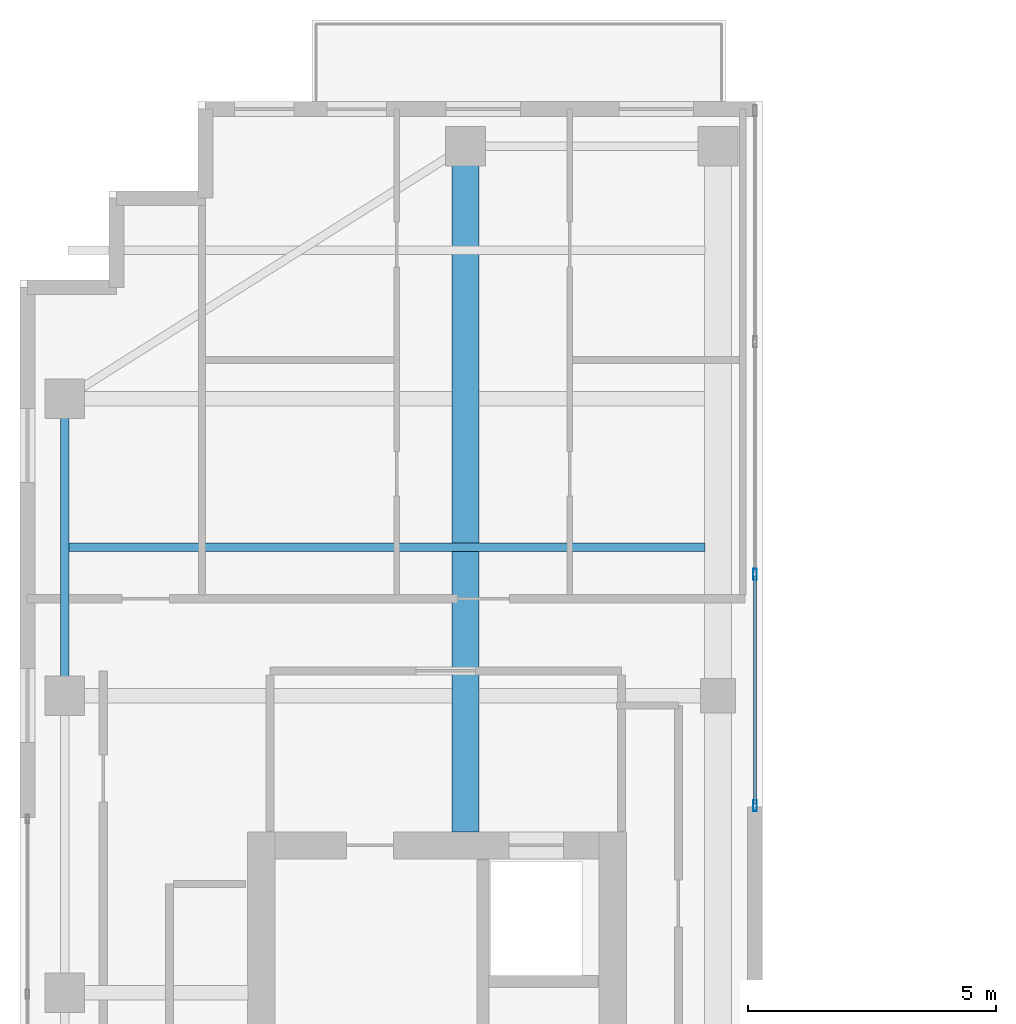
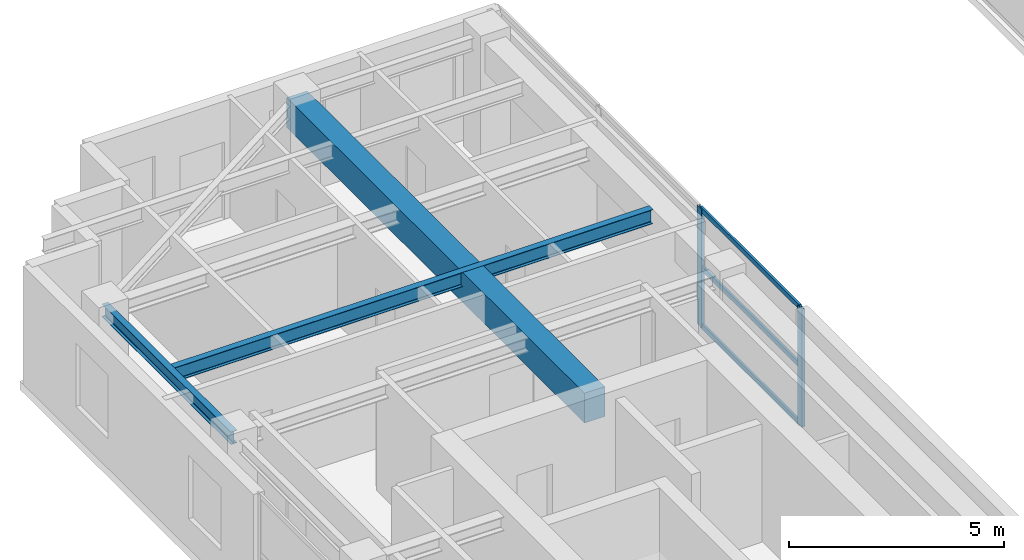
# One storey, part 8 of 22: 5 members, 3 beams, 1 element without a shape of its own.
"""IFC4 building model written with IfcOpenShell, lengths in metres."""

from ifc_helpers import new_model, si_unit, direction, frame, origin, origin_2d, place, context, subcontext, project, spatial, rectangle, hollow_rectangle, i_section, extrude, source, transform, mapped, material, layer, layer_set, material_profile, profile_set, type_object, element, aggregate, save


model = new_model("IFC4")

# Units and contexts
model_context = context("Model", 3, precision=1e-05, world=origin(), true_north=direction((0.0, 1.0)))
body_context = subcontext(model_context, "Body", "Model", "MODEL_VIEW")
ifc_project = project(units=[si_unit("LENGTHUNIT", "METRE"), si_unit("AREAUNIT", "SQUARE_METRE"), si_unit("VOLUMEUNIT", "CUBIC_METRE"), si_unit("PLANEANGLEUNIT", "RADIAN"), si_unit("MASSUNIT", "GRAM", prefix="KILO")], contexts=[model_context])

# Site, building, storey
site_placement = place(None, origin())
site = spatial("IfcSite", under=ifc_project, at=site_placement, CompositionType="ELEMENT")
building_placement = place(site_placement, origin())
building = spatial("IfcBuilding", under=site, at=building_placement, Name="Khoralis Quay Care Tower", CompositionType="ELEMENT")
storey_placement = place(building_placement, frame((0.0, 0.0, 260.10009765625)))
storey = spatial("IfcBuildingStorey", under=building, at=storey_placement, Name="L68", CompositionType="ELEMENT", Elevation=260.10009765625)

# Beams
ifc_material_1 = material(Name="Steel S355", Category="steel")
ifc_material_profile_1 = material_profile(ifc_material_1, i_section(OverallWidth=0.169921875, OverallDepth=0.360107421875, WebThickness=0.008056640625, FlangeThickness=0.0126953125, FilletRadius=0.01806640625, at=origin_2d()), Name="Steel S355")
ifc_profile_set_1 = profile_set([ifc_material_profile_1], Name="Steel S355")
beam_type_1 = type_object("IfcBeamType", Name="BM-IPE360", PredefinedType="SPANDREL", material=ifc_profile_set_1)
shared_shape_1 = source(origin(), body_context, "Body", "SweptSolid", [
    extrude(i_section(OverallWidth=0.169921875, OverallDepth=0.360107421875, WebThickness=0.008056640625, FlangeThickness=0.0126953125, FilletRadius=0.01806640625, at=origin_2d()), origin(), (0.0, 0.0, 1.0), 6.0),
])
beam_1_placement = place(storey_placement, frame((3.89990234375, 30.0, 3.179931640625), z_axis=(0.0, 1.0, 0.0), x_axis=(-1.0, 0.0, 0.0)))
element("IfcBeam", 1, at=beam_1_placement, inside=storey, type_object=beam_type_1, Name="BM-TSP-L68-08", PredefinedType="SPANDREL", context=body_context, shape_type="MappedRepresentation", body=[
    mapped(shared_shape_1, transform((0.0, 0.0, 0.0), scale=1.0)),
])
ifc_material_2 = material(Name="Concrete C50/60", Category="concrete")
ifc_material_profile_2 = material_profile(ifc_material_2, rectangle(XDim=0.550048828125, YDim=0.85009765625, at=origin_2d()), Name="Concrete C50/60")
ifc_profile_set_2 = profile_set([ifc_material_profile_2], Name="Concrete C50/60")
beam_type_2 = type_object("IfcBeamType", Name="BM-RC550X850", PredefinedType="BEAM", material=ifc_profile_set_2)
shared_shape_2 = source(origin(), body_context, "Body", "SweptSolid", [
    extrude(rectangle(XDim=0.550048828125, YDim=0.85009765625, at=origin_2d()), origin(), (0.0, 0.0, 1.0), 13.85205078125),
])
beam_2_placement = place(storey_placement, frame((12.0, 27.248046875, 2.934814453125), z_axis=(0.0, 1.0, 0.0), x_axis=(-1.0, 0.0, 0.0)))
element("IfcBeam", 2, at=beam_2_placement, inside=storey, type_object=beam_type_2, Name="BM-TGYN-L68-120", PredefinedType="BEAM", context=body_context, shape_type="MappedRepresentation", body=[
    mapped(shared_shape_2, transform((0.0, 0.0, 0.0), scale=1.0)),
])
ifc_material_profile_3 = material_profile(ifc_material_1, i_section(OverallWidth=0.177978515625, OverallDepth=0.406982421875, WebThickness=0.0078125, FlangeThickness=0.0126953125, FilletRadius=0.012939453125, at=origin_2d()), Name="Steel S355")
ifc_profile_set_3 = profile_set([ifc_material_profile_3], Name="Steel S355")
beam_type_3 = type_object("IfcBeamType", Name="BM-W410X60", PredefinedType="JOIST", material=ifc_profile_set_3)
shared_shape_3 = source(origin(), body_context, "Body", "SweptSolid", [
    extrude(i_section(OverallWidth=0.177978515625, OverallDepth=0.406982421875, WebThickness=0.0078125, FlangeThickness=0.0126953125, FilletRadius=0.012939453125, at=origin_2d()), origin(), (0.0, 0.0, 1.0), 12.865966796875),
])
beam_3_placement = place(storey_placement, frame((3.970947265625, 33.0, 3.156494140625), z_axis=(1.0, 0.0, 0.0), x_axis=(0.0, 1.0, 0.0)))
element("IfcBeam", 3, at=beam_3_placement, inside=storey, type_object=beam_type_3, Name="BM-TJS-L68-19", PredefinedType="JOIST", context=body_context, shape_type="MappedRepresentation", body=[
    mapped(shared_shape_3, transform((0.0, 0.0, 0.0), scale=1.0)),
])

# Curtain wall, members
ifc_material_3 = material(Name="Pale anodised aluminium", Category="aluminium")
ifc_layer = layer(ifc_material_3, 0.18994140625)
ifc_layer_set = layer_set([ifc_layer], Name="Pale anodised aluminium")
curtain_wall_type = type_object("IfcCurtainWallType", Name="CW-SYS-PORTAL", PredefinedType="NOTDEFINED", material=ifc_layer_set)
curtain_wall_placement = place(storey_placement, origin())
curtain_wall = element("IfcCurtainWall", 4, at=curtain_wall_placement, inside=storey, type_object=curtain_wall_type, Name="L68 Unitised Curtain Wall CW-VP-L68-P1-N", PredefinedType="NOTDEFINED")
ifc_material_profile_4 = material_profile(ifc_material_3, hollow_rectangle(XDim=0.06005859375, YDim=0.139892578125, WallThickness=0.00390625, at=origin_2d()), Name="Pale anodised aluminium")
ifc_profile_set_4 = profile_set([ifc_material_profile_4], Name="Pale anodised aluminium")
member_type_1 = type_object("IfcMemberType", Name="CW-TRN-140", PredefinedType="USERDEFINED", material=ifc_profile_set_4)
shared_shape_4 = source(origin(), body_context, "Body", "SweptSolid", [
    extrude(hollow_rectangle(XDim=0.06005859375, YDim=0.139892578125, WallThickness=0.00390625, at=origin_2d()), origin(), (0.0, 0.0, 1.0), 4.60986328125),
])
member_1_placement = place(storey_placement, frame((17.85009765625, 27.81005859375, 0.02978515625), z_axis=(0.0, 1.0, 0.0), x_axis=(-1.0, 0.0, 0.0)))
member_1 = element("IfcMember", 5, at=member_1_placement, type_object=member_type_1, Name="CW4 transom 1.1", ObjectType="TRANSOM", PredefinedType="USERDEFINED", context=body_context, shape_type="MappedRepresentation", body=[
    mapped(shared_shape_4, transform((0.0, 0.0, 0.0), scale=1.0)),
])
member_2_placement = place(storey_placement, frame((17.85009765625, 27.81005859375, 1.679931640625), z_axis=(0.0, 1.0, 0.0), x_axis=(-1.0, 0.0, 0.0)))
member_2 = element("IfcMember", 6, at=member_2_placement, type_object=member_type_1, Name="CW4 transom 1.2", ObjectType="TRANSOM", PredefinedType="USERDEFINED", context=body_context, shape_type="MappedRepresentation", body=[
    mapped(shared_shape_4, transform((0.0, 0.0, 0.0), scale=1.0)),
])
member_3_placement = place(storey_placement, frame((17.85009765625, 27.81005859375, 3.329833984375), z_axis=(0.0, 1.0, 0.0), x_axis=(-1.0, 0.0, 0.0)))
member_3 = element("IfcMember", 7, at=member_3_placement, type_object=member_type_1, Name="CW4 transom 1.3", ObjectType="TRANSOM", PredefinedType="USERDEFINED", context=body_context, shape_type="MappedRepresentation", body=[
    mapped(shared_shape_4, transform((0.0, 0.0, 0.0), scale=1.0)),
])
ifc_material_profile_5 = material_profile(ifc_material_3, hollow_rectangle(XDim=0.074951171875, YDim=0.219970703125, WallThickness=0.00390625, at=origin_2d()), Name="Pale anodised aluminium")
ifc_profile_set_5 = profile_set([ifc_material_profile_5], Name="Pale anodised aluminium")
member_type_2 = type_object("IfcMemberType", Name="CW-MUL-220", PredefinedType="MULLION", material=ifc_profile_set_5)
shared_shape_5 = source(origin(), body_context, "Body", "SweptSolid", [
    extrude(hollow_rectangle(XDim=0.074951171875, YDim=0.219970703125, WallThickness=0.00390625, at=origin_2d()), origin(), (0.0, 0.0, 1.0), 3.35986328125),
])
member_4_placement = place(storey_placement, frame((17.85009765625, 27.780029296875, 0.0), z_axis=(0.0, 0.0, 1.0), x_axis=(-1.0, 0.0, 0.0)))
member_4 = element("IfcMember", 8, at=member_4_placement, type_object=member_type_2, Name="CW4 mullion 1", PredefinedType="MULLION", context=body_context, shape_type="MappedRepresentation", body=[
    mapped(shared_shape_5, transform((0.0, 0.0, 0.0), scale=1.0)),
])
member_5_placement = place(storey_placement, frame((17.85009765625, 32.449951171875, 0.0), z_axis=(0.0, 0.0, 1.0), x_axis=(-1.0, 0.0, 0.0)))
member_5 = element("IfcMember", 9, at=member_5_placement, type_object=member_type_2, Name="CW4 mullion 2", PredefinedType="MULLION", context=body_context, shape_type="MappedRepresentation", body=[
    mapped(shared_shape_5, transform((0.0, 0.0, 0.0), scale=1.0)),
])
aggregate(curtain_wall, [member_4, member_5, member_1, member_2, member_3])

save(model, "model.ifc")
